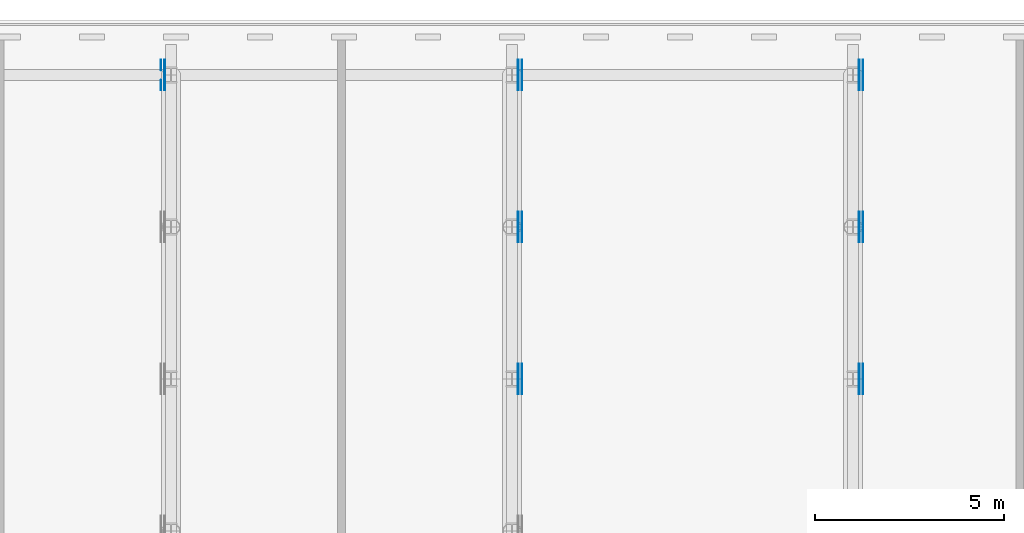
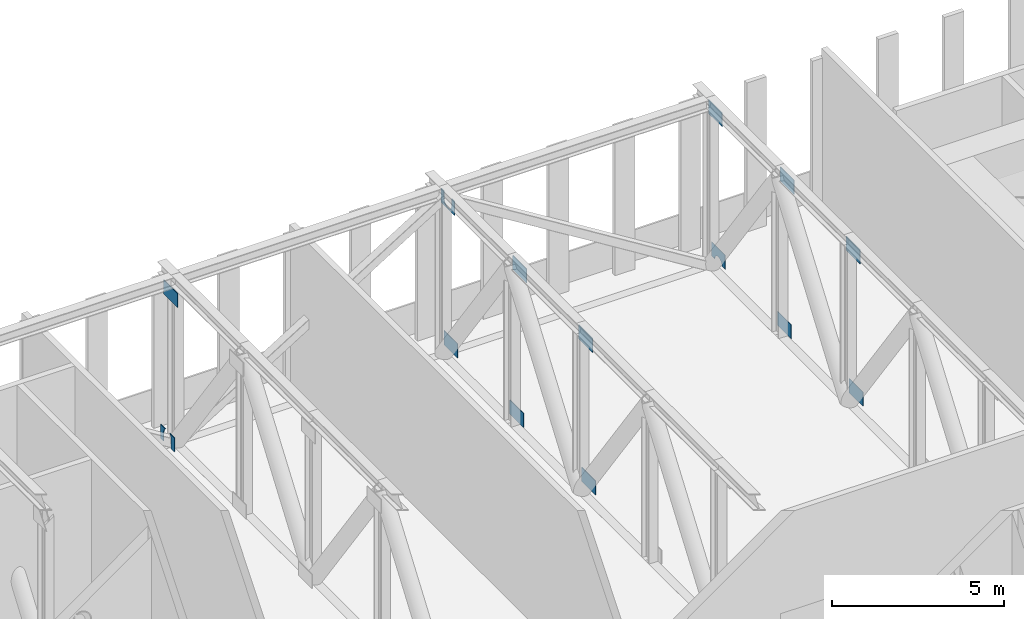
# One storey, part 16 of 26: 15 discrete accessories.
"""IFC4 building model written with IfcOpenShell, lengths in metres."""

from ifc_helpers import new_model, si_unit, direction, frame, origin, place, context, subcontext, project, spatial, polyline, outline, extrude, material, layer, layer_set, type_object, element, save


model = new_model("IFC4")

# Units and contexts
model_context = context("Model", 3, precision=1e-05, world=origin(), true_north=direction((0.0, 1.0)))
body_context = subcontext(model_context, "Body", "Model", "MODEL_VIEW")
ifc_project = project(units=[si_unit("LENGTHUNIT", "METRE"), si_unit("AREAUNIT", "SQUARE_METRE"), si_unit("VOLUMEUNIT", "CUBIC_METRE"), si_unit("PLANEANGLEUNIT", "RADIAN"), si_unit("MASSUNIT", "GRAM", prefix="KILO")], contexts=[model_context])

# Site, building, storey
site_placement = place(None, origin())
site = spatial("IfcSite", under=ifc_project, at=site_placement, CompositionType="ELEMENT")
building_placement = place(site_placement, origin())
building = spatial("IfcBuilding", under=site, at=building_placement, Name="Kajstack Hotel Tower", CompositionType="ELEMENT")
storey_placement = place(building_placement, frame((0.0, 0.0, 47.0)))
storey = spatial("IfcBuildingStorey", under=building, at=storey_placement, Name="L07", CompositionType="ELEMENT", Elevation=47.0)

# Discrete accessories
ifc_material = material(Name="Steel S355J2", Category="steel")
ifc_layer = layer(ifc_material, 0.02001953125)
ifc_layer_set = layer_set([ifc_layer], Name="GUSSET PLATE")
discrete_accessory_type = type_object("IfcDiscreteAccessoryType", Name="GUSSET PLATE", PredefinedType="BRACKET", material=ifc_layer_set)
discrete_accessory_1_placement = place(storey_placement, frame((-9.27392578125, 20.550048828125, 0.0), z_axis=(1.0, 0.0, 0.0), x_axis=(0.0, 1.0, 0.0)))
element("IfcDiscreteAccessory", 1, at=discrete_accessory_1_placement, inside=storey, type_object=discrete_accessory_type, Name="Gusset plate L07-061", PredefinedType="BRACKET", context=body_context, shape_type="SweptSolid", body=[
    extrude(outline(polyline([(0.39990234375, 0.5), (0.115478515625, 0.5), (0.140869140625, 0.482177734375), (0.156982421875, 0.467529296875), (0.171630859375, 0.451416015625), (0.184814453125, 0.433837890625), (0.19580078125, 0.415283203125), (0.205322265625, 0.3955078125), (0.212646484375, 0.375), (0.2177734375, 0.353759765625), (0.22119140625, 0.332275390625), (0.22216796875, 0.310546875), (0.22119140625, 0.0), (0.39990234375, 0.0), (0.39990234375, 0.5)])), origin(), (0.0, 0.0, 1.0), 0.02001953125),
])
discrete_accessory_2_placement = place(storey_placement, frame((-9.27392578125, 20.550048828125, 0.0), z_axis=(1.0, 0.0, 0.0), x_axis=(0.0, 1.0, 0.0)))
element("IfcDiscreteAccessory", 2, at=discrete_accessory_2_placement, inside=storey, type_object=discrete_accessory_type, Name="Gusset plate L07-062", PredefinedType="BRACKET", context=body_context, shape_type="SweptSolid", body=[
    extrude(outline(polyline([(-0.39990234375, 0.0), (-0.22119140625, 0.0), (-0.22216796875, 0.310546875), (-0.22119140625, 0.332275390625), (-0.2177734375, 0.353759765625), (-0.212646484375, 0.375), (-0.205322265625, 0.3955078125), (-0.19580078125, 0.415283203125), (-0.184814453125, 0.433837890625), (-0.171630859375, 0.451416015625), (-0.156982421875, 0.467529296875), (-0.140869140625, 0.482177734375), (-0.115478515625, 0.5), (-0.39990234375, 0.5), (-0.39990234375, 0.0)])), origin(), (0.0, 0.0, 1.0), 0.02001953125),
])
for number, where, z_axis, x_axis, name in (
    (3, (-9.173583984375, 20.550048828125, 5.10009765625), (1.0, 0.0, 0.0), (0.0, 1.0, 0.0), "Gusset plate L07-063"),
    (4, (0.25390625, 12.52490234375, 0.0), (1.0, 0.0, 0.0), (0.0, 1.0, 0.0), "Gusset plate L07-078"),
    (5, (0.153564453125, 12.52490234375, 5.10009765625), (1.0, 0.0, 0.0), (0.0, 1.0, 0.0), "Gusset plate L07-079"),
    (6, (0.153564453125, 16.53759765625, 0.0), (1.0, 0.0, 0.0), (0.0, 1.0, 0.0), "Gusset plate L07-080"),
    (7, (0.25390625, 16.53759765625, 5.10009765625), (1.0, 0.0, 0.0), (0.0, 1.0, 0.0), "Gusset plate L07-081"),
    (8, (0.25390625, 20.550048828125, 0.0), (1.0, 0.0, 0.0), (0.0, 1.0, 0.0), "Gusset plate L07-082"),
):
    element("IfcDiscreteAccessory", number, at=place(storey_placement, frame(where, z_axis=z_axis, x_axis=x_axis)), inside=storey, type_object=discrete_accessory_type, Name=name, PredefinedType="BRACKET", context=body_context, shape_type="SweptSolid", body=[
        extrude(outline(polyline([(-0.39990234375, 0.0), (0.39990234375, 0.0), (0.39990234375, 0.5), (-0.39990234375, 0.5), (-0.39990234375, 0.0)])), origin(), (0.0, 0.0, 1.0), 0.02001953125),
    ])
discrete_accessory_3_placement = place(storey_placement, frame((0.153564453125, 20.550048828125, 5.10009765625), z_axis=(1.0, 0.0, 0.0), x_axis=(0.0, 1.0, 0.0)))
element("IfcDiscreteAccessory", 9, at=discrete_accessory_3_placement, inside=storey, type_object=discrete_accessory_type, Name="Gusset plate L07-083", PredefinedType="BRACKET", context=body_context, shape_type="SweptSolid", body=[
    extrude(outline(polyline([(0.39990234375, 0.5), (0.22216796875, 0.5), (0.22119140625, 0.230224609375), (0.2177734375, 0.208740234375), (0.212646484375, 0.1875), (0.205322265625, 0.1669921875), (0.19580078125, 0.147216796875), (0.184814453125, 0.128662109375), (0.171630859375, 0.111083984375), (0.156982421875, 0.094970703125), (0.140869140625, 0.080322265625), (0.12353515625, 0.0673828125), (0.104736328125, 0.05615234375), (0.0849609375, 0.046875), (0.064453125, 0.03955078125), (0.04345703125, 0.0341796875), (0.021728515625, 0.031005859375), (0.0, 0.02978515625), (-0.021728515625, 0.031005859375), (-0.04345703125, 0.0341796875), (-0.064453125, 0.03955078125), (-0.0849609375, 0.046875), (-0.104736328125, 0.05615234375), (-0.12353515625, 0.0673828125), (-0.140869140625, 0.080322265625), (-0.156982421875, 0.094970703125), (-0.171630859375, 0.111083984375), (-0.184814453125, 0.128662109375), (-0.19580078125, 0.147216796875), (-0.205322265625, 0.1669921875), (-0.212646484375, 0.1875), (-0.2177734375, 0.208740234375), (-0.22119140625, 0.230224609375), (-0.22216796875, 0.5), (-0.39990234375, 0.5), (-0.39990234375, 0.0), (0.39990234375, 0.0), (0.39990234375, 0.5)])), origin(), (0.0, 0.0, 1.0), 0.02001953125),
])
for number, where, z_axis, x_axis, name in (
    (10, (9.25390625, 12.52490234375, 0.0), (1.0, 0.0, 0.0), (0.0, 1.0, 0.0), "Gusset plate L07-099"),
    (11, (9.153564453125, 12.52490234375, 5.10009765625), (1.0, 0.0, 0.0), (0.0, 1.0, 0.0), "Gusset plate L07-100"),
    (12, (9.153564453125, 16.53759765625, 0.0), (1.0, 0.0, 0.0), (0.0, 1.0, 0.0), "Gusset plate L07-101"),
    (13, (9.25390625, 16.53759765625, 5.10009765625), (1.0, 0.0, 0.0), (0.0, 1.0, 0.0), "Gusset plate L07-102"),
):
    element("IfcDiscreteAccessory", number, at=place(storey_placement, frame(where, z_axis=z_axis, x_axis=x_axis)), inside=storey, type_object=discrete_accessory_type, Name=name, PredefinedType="BRACKET", context=body_context, shape_type="SweptSolid", body=[
        extrude(outline(polyline([(-0.39990234375, 0.0), (0.39990234375, 0.0), (0.39990234375, 0.5), (-0.39990234375, 0.5), (-0.39990234375, 0.0)])), origin(), (0.0, 0.0, 1.0), 0.02001953125),
    ])
discrete_accessory_4_placement = place(storey_placement, frame((9.25390625, 20.550048828125, 0.0), z_axis=(1.0, 0.0, 0.0), x_axis=(0.0, 1.0, 0.0)))
element("IfcDiscreteAccessory", 14, at=discrete_accessory_4_placement, inside=storey, type_object=discrete_accessory_type, Name="Gusset plate L07-103", PredefinedType="BRACKET", context=body_context, shape_type="SweptSolid", body=[
    extrude(outline(polyline([(-0.39990234375, 0.0), (-0.22119140625, 0.0), (-0.2177734375, 0.025390625), (-0.212646484375, 0.04638671875), (-0.205322265625, 0.06689453125), (-0.19580078125, 0.086669921875), (-0.184814453125, 0.10546875), (-0.171630859375, 0.122802734375), (-0.156982421875, 0.138916015625), (-0.140869140625, 0.153564453125), (-0.12353515625, 0.166748046875), (-0.104736328125, 0.177978515625), (-0.0849609375, 0.187255859375), (-0.064453125, 0.194580078125), (-0.04345703125, 0.199951171875), (-0.021728515625, 0.203125), (0.0, 0.2041015625), (0.021728515625, 0.203125), (0.04345703125, 0.199951171875), (0.064453125, 0.194580078125), (0.0849609375, 0.187255859375), (0.104736328125, 0.177978515625), (0.12353515625, 0.166748046875), (0.140869140625, 0.153564453125), (0.156982421875, 0.138916015625), (0.171630859375, 0.122802734375), (0.184814453125, 0.10546875), (0.19580078125, 0.086669921875), (0.205322265625, 0.06689453125), (0.212646484375, 0.04638671875), (0.2177734375, 0.025390625), (0.22119140625, 0.0), (0.39990234375, 0.0), (0.39990234375, 0.5), (-0.39990234375, 0.5), (-0.39990234375, 0.0)])), origin(), (0.0, 0.0, 1.0), 0.02001953125),
])
discrete_accessory_5_placement = place(storey_placement, frame((9.153564453125, 20.550048828125, 5.10009765625), z_axis=(1.0, 0.0, 0.0), x_axis=(0.0, 1.0, 0.0)))
element("IfcDiscreteAccessory", 15, at=discrete_accessory_5_placement, inside=storey, type_object=discrete_accessory_type, Name="Gusset plate L07-104", PredefinedType="BRACKET", context=body_context, shape_type="SweptSolid", body=[
    extrude(outline(polyline([(-0.39990234375, 0.0), (0.39990234375, 0.0), (0.39990234375, 0.5), (-0.39990234375, 0.5), (-0.39990234375, 0.0)])), origin(), (0.0, 0.0, 1.0), 0.02001953125),
])

save(model, "model.ifc")
